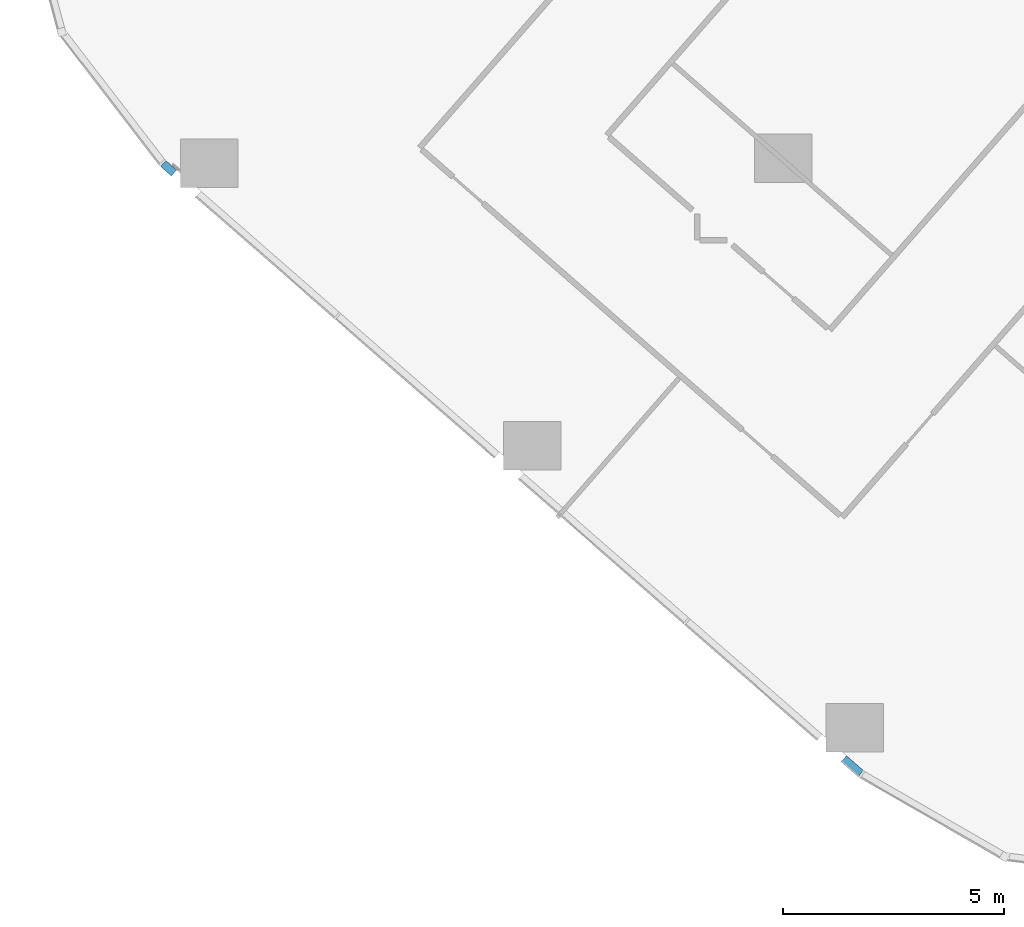
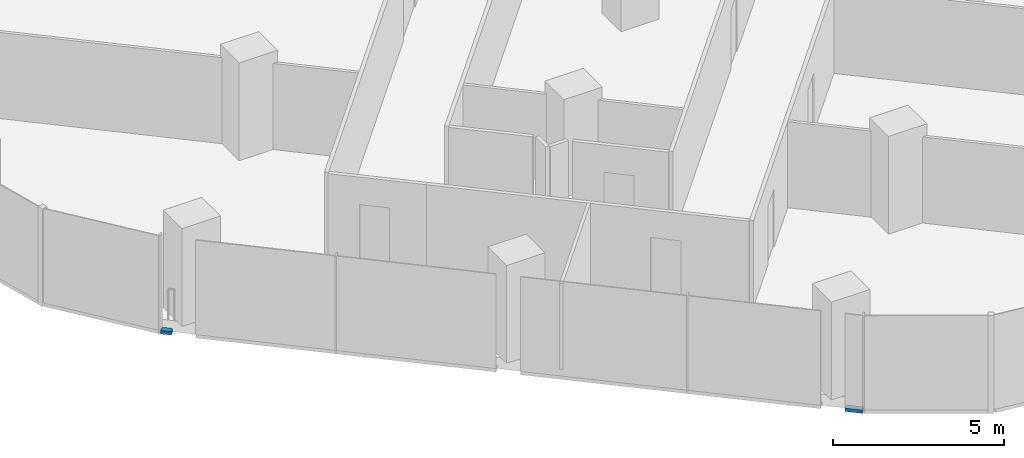
# One storey, part 16 of 38: 2 members, 1 element without a shape of its own.
"""IFC4 building model written with IfcOpenShell, lengths in metres."""

from ifc_helpers import new_model, si_unit, direction, frame, origin, origin_2d, place, context, subcontext, project, spatial, rectangle, extrude, material, material_profile, profile_set, type_object, element, aggregate, save


model = new_model("IFC4")

# Units and contexts
model_context = context("Model", 3, precision=1e-05, world=origin(), true_north=direction((0.0, 1.0)))
body_context = subcontext(model_context, "Body", "Model", "MODEL_VIEW")
ifc_project = project(units=[si_unit("LENGTHUNIT", "METRE"), si_unit("AREAUNIT", "SQUARE_METRE"), si_unit("VOLUMEUNIT", "CUBIC_METRE"), si_unit("PLANEANGLEUNIT", "RADIAN"), si_unit("MASSUNIT", "GRAM", prefix="KILO")], contexts=[model_context])

# Site, building, storey
site_placement = place(None, origin())
site = spatial("IfcSite", under=ifc_project, at=site_placement, CompositionType="ELEMENT")
building_placement = place(site_placement, origin())
building = spatial("IfcBuilding", under=site, at=building_placement, Name="Orlundy Tower", CompositionType="ELEMENT")
storey_placement = place(building_placement, frame((0.0, 0.0, 65.800048828125)))
storey = spatial("IfcBuildingStorey", under=building, at=storey_placement, Name="L15", CompositionType="ELEMENT", Elevation=65.800048828125)

# Curtain wall, members
ifc_material_1 = material(Name="Aluminium bronze anodised", Category="aluminium")
curtain_wall_type = type_object("IfcCurtainWallType", Name="CW1 wall", PredefinedType="NOTDEFINED", material=ifc_material_1)
curtain_wall_placement = place(storey_placement, origin())
curtain_wall = element("IfcCurtainWall", 1, at=curtain_wall_placement, inside=storey, type_object=curtain_wall_type, Name="CW1 run 07", PredefinedType="NOTDEFINED")
ifc_material_2 = material(Name="Aluminium bronze anodised", Category="aluminium")
ifc_material_profile = material_profile(ifc_material_2, rectangle(XDim=0.179931640625, YDim=0.1201171875, at=origin_2d()), Name="CW1 transom 180x120")
ifc_profile_set = profile_set([ifc_material_profile], Name="Aluminium bronze anodised")
member_type = type_object("IfcMemberType", Name="CW1 transom 180x120", PredefinedType="USERDEFINED", material=ifc_profile_set)
member_1_placement = place(storey_placement, frame((-31.33349609375, -51.760009765625, -0.340087890625), z_axis=(-0.752784706073, 0.658266804801, 0.0), x_axis=(-0.658266804801, -0.752784706073, 0.0)))
member_1 = element("IfcMember", 2, at=member_1_placement, type_object=member_type, Name="CW1 transom", ObjectType="TRANSOM", PredefinedType="USERDEFINED", context=body_context, shape_type="SweptSolid", body=[
    extrude(rectangle(XDim=0.179931640625, YDim=0.1201171875, at=origin_2d()), origin(), (0.0, 0.0, 1.0), 0.5087890625),
])
member_2_placement = place(storey_placement, frame((-46.873046875, -38.171875, -0.340087890625), z_axis=(-0.752623362172, 0.658451269808, 0.0), x_axis=(-0.658451269808, -0.752623362172, 0.0)))
member_2 = element("IfcMember", 3, at=member_2_placement, type_object=member_type, Name="CW1 transom", ObjectType="TRANSOM", PredefinedType="USERDEFINED", context=body_context, shape_type="SweptSolid", body=[
    extrude(rectangle(XDim=0.179931640625, YDim=0.1201171875, at=origin_2d()), origin(), (0.0, 0.0, 1.0), 0.323974609375),
])
aggregate(curtain_wall, [member_1, member_2])

save(model, "model.ifc")
